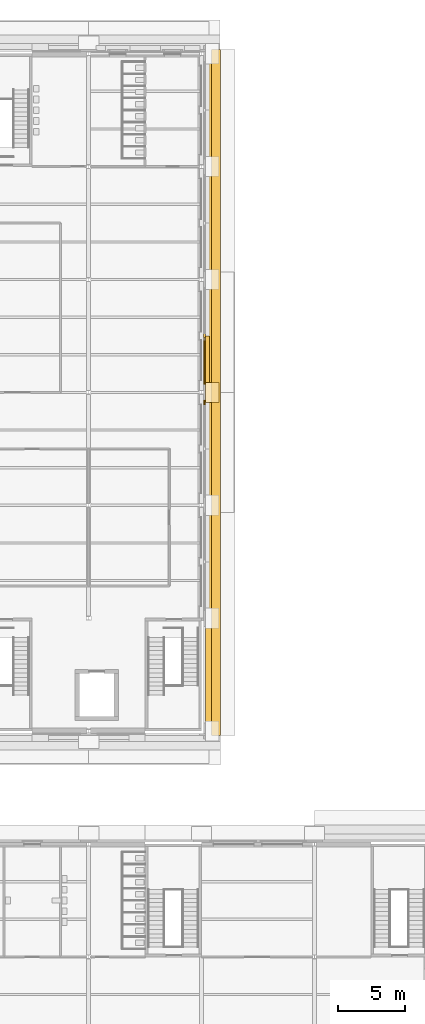
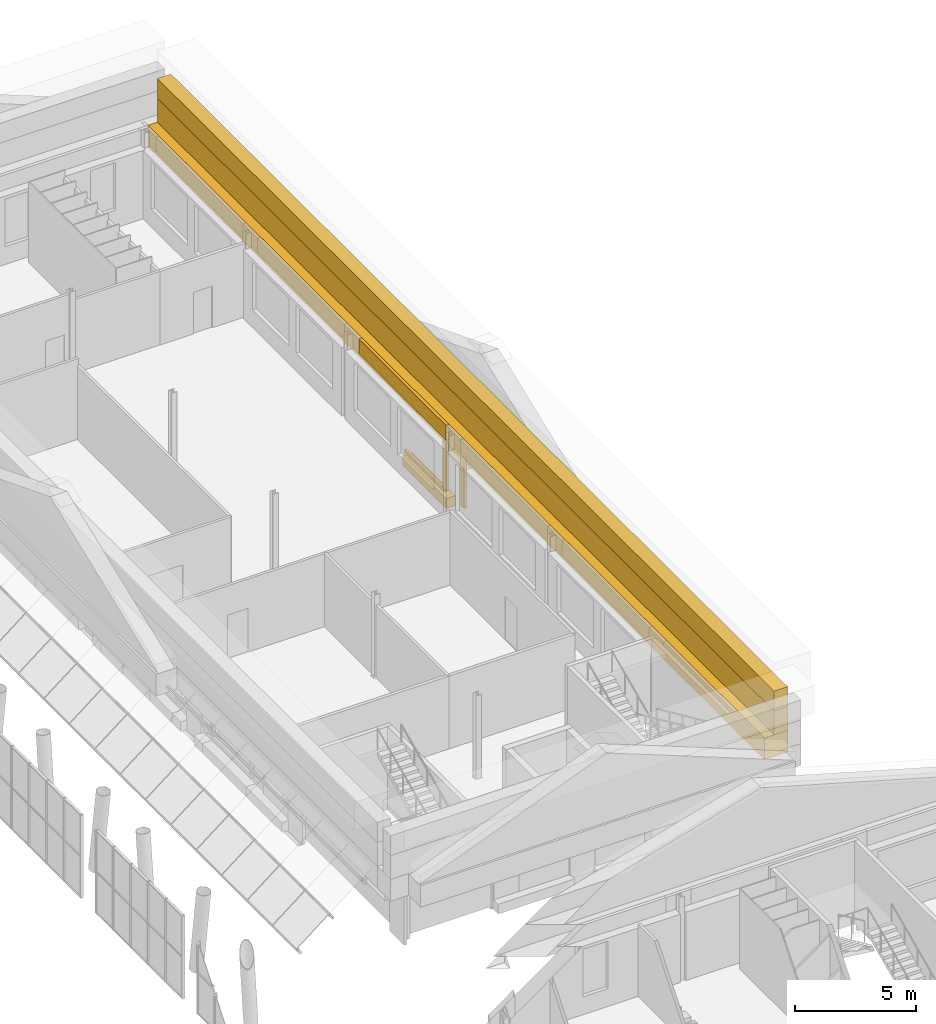
# One storey, part 70 of 76: 10 coverings.
"""IFC4 building model written with IfcOpenShell, lengths in metres."""

from ifc_helpers import new_model, si_unit, direction, frame, origin, origin_2d, place, context, subcontext, project, spatial, polyline, rectangle, outline, extrude, material, layer, layer_set, type_object, element, save


model = new_model("IFC4")

# Units and contexts
model_context = context("Model", 3, precision=1e-05, world=origin(), true_north=direction((0.0, 1.0)))
body_context = subcontext(model_context, "Body", "Model", "MODEL_VIEW")
ifc_project = project(units=[si_unit("LENGTHUNIT", "METRE"), si_unit("AREAUNIT", "SQUARE_METRE"), si_unit("VOLUMEUNIT", "CUBIC_METRE"), si_unit("PLANEANGLEUNIT", "RADIAN"), si_unit("MASSUNIT", "GRAM", prefix="KILO")], contexts=[model_context])

# Site, building, storey
site_placement = place(None, origin())
site = spatial("IfcSite", under=ifc_project, at=site_placement, CompositionType="ELEMENT")
building_placement = place(site_placement, origin())
building = spatial("IfcBuilding", under=site, at=building_placement, Name="Sava Quay Ferry Terminal", CompositionType="ELEMENT")
storey_placement = place(building_placement, frame((0.0, 0.0, 10.800048828125)))
storey = spatial("IfcBuildingStorey", under=building, at=storey_placement, Name="L02", CompositionType="ELEMENT", Elevation=10.800048828125)

# Coverings
ifc_material_1 = material(Name="Limestone Mutalj", Category="masonry")
ifc_layer_1 = layer(ifc_material_1, 0.64990234375)
ifc_layer_set_1 = layer_set([ifc_layer_1], Name="Limestone Mutalj")
covering_type_1 = type_object("IfcCoveringType", Name="Attic frieze 1000", PredefinedType="CLADDING", material=ifc_layer_set_1)
covering_1_placement = place(storey_placement, frame((110.27490234375, 84.0, 5.39990234375), z_axis=(0.0, 0.0, 1.0), x_axis=(1.0, 0.0, 0.0)))
element("IfcCovering", 1, at=covering_1_placement, inside=storey, type_object=covering_type_1, Name="Attic frieze", PredefinedType="CLADDING", context=body_context, shape_type="SweptSolid", body=[
    extrude(rectangle(XDim=0.64990234375, YDim=51.02001953125, at=origin_2d()), origin(), (0.0, 0.0, 1.0), 1.0),
])
ifc_material_2 = material(Name="Limestone Mutalj", Category="masonry")
ifc_layer_2 = layer(ifc_material_2, 0.64990234375)
ifc_layer_set_2 = layer_set([ifc_layer_2], Name="Limestone Mutalj")
covering_type_2 = type_object("IfcCoveringType", Name="Attic parapet 650", PredefinedType="MOLDING", material=ifc_layer_set_2)
covering_2_placement = place(storey_placement, frame((110.27490234375, 84.0, 4.2001953125), z_axis=(0.0, 0.0, 1.0), x_axis=(1.0, 0.0, 0.0)))
element("IfcCovering", 2, at=covering_2_placement, inside=storey, type_object=covering_type_2, Name="Attic parapet O E", PredefinedType="MOLDING", context=body_context, shape_type="SweptSolid", body=[
    extrude(rectangle(XDim=0.64990234375, YDim=51.02001953125, at=origin_2d()), origin(), (0.0, 0.0, 1.0), 1.199951171875),
])
ifc_material_3 = material(Name="Limestone Mutalj", Category="masonry")
ifc_layer_3 = layer(ifc_material_3, 1.10009765625)
ifc_layer_set_3 = layer_set([ifc_layer_3], Name="Limestone Mutalj")
covering_type_3 = type_object("IfcCoveringType", Name="Eaves cornice 1100", PredefinedType="MOLDING", material=ifc_layer_set_3)
covering_3_placement = place(storey_placement, frame((110.050048828125, 84.0, 3.099853515625), z_axis=(0.0, 0.0, 1.0), x_axis=(1.0, 0.0, 0.0)))
element("IfcCovering", 3, at=covering_3_placement, inside=storey, type_object=covering_type_3, Name="Eaves cornice O E", PredefinedType="MOLDING", context=body_context, shape_type="SweptSolid", body=[
    extrude(rectangle(XDim=1.10009765625, YDim=51.02001953125, at=origin_2d()), origin(), (0.0, 0.0, 1.0), 1.10009765625),
])
ifc_material_4 = material(Name="Limestone Mutalj", Category="masonry")
ifc_layer_4 = layer(ifc_material_4, 0.14990234375)
ifc_layer_set_4 = layer_set([ifc_layer_4], Name="Limestone Mutalj")
covering_type_4 = type_object("IfcCoveringType", Name="Limestone string course 150", PredefinedType="CLADDING", material=ifc_layer_set_4)
covering_4_placement = place(storey_placement, frame((0.0, 0.0, 3.449951171875)))
element("IfcCovering", 4, at=covering_4_placement, inside=storey, type_object=covering_type_4, Name="String course O-E", PredefinedType="CLADDING", context=body_context, shape_type="SweptSolid", body=[
    extrude(outline(polyline([(109.35009765625, 84.60009765625), (109.35009765625, 91.800048828125), (109.5, 91.800048828125), (109.5, 84.60009765625), (109.35009765625, 84.60009765625)])), origin(), (0.0, 0.0, 1.0), 0.75),
])
ifc_material_5 = material(Name="Limestone Mutalj", Category="masonry")
ifc_layer_5 = layer(ifc_material_5, 1.0)
ifc_layer_set_5 = layer_set([ifc_layer_5], Name="Limestone Mutalj")
covering_type_5 = type_object("IfcCoveringType", Name="Pilaster capital block 1500", PredefinedType="MOLDING", material=ifc_layer_set_5)
covering_5_placement = place(storey_placement, frame((110.0, 84.0, 2.699951171875), z_axis=(0.0, 0.0, 1.0), x_axis=(1.0, 0.0, 0.0)))
element("IfcCovering", 5, at=covering_5_placement, inside=storey, type_object=covering_type_5, Name="Giant-order capital", PredefinedType="MOLDING", context=body_context, shape_type="SweptSolid", body=[
    extrude(rectangle(XDim=1.0, YDim=1.5, at=origin_2d()), origin(), (0.0, 0.0, 1.0), 0.39990234375),
])
ifc_material_6 = material(Name="Limestone Mutalj", Category="masonry")
ifc_layer_6 = layer(ifc_material_6, 0.1201171875)
ifc_layer_set_6 = layer_set([ifc_layer_6], Name="Limestone Mutalj")
covering_type_6 = type_object("IfcCoveringType", Name="Plain window architrave 150", PredefinedType="MOLDING", material=ifc_layer_set_6)
for number, where, z_axis, x_axis, name in (
    (6, (109.409912109375, 83.25, 0.89990234375), (0.0, 0.0, 1.0), (1.0, 0.0, 0.0), "Plain window architrave"),
    (7, (109.409912109375, 84.75, 0.89990234375), (0.0, 0.0, 1.0), (1.0, 0.0, 0.0), "Plain window architrave"),
):
    element("IfcCovering", number, at=place(storey_placement, frame(where, z_axis=z_axis, x_axis=x_axis)), inside=storey, type_object=covering_type_6, Name=name, PredefinedType="MOLDING", context=body_context, shape_type="SweptSolid", body=[
        extrude(rectangle(XDim=0.1201171875, YDim=0.300048828125, at=origin_2d()), origin(), (0.0, 0.0, 1.0), 2.39990234375),
    ])
for number, where, z_axis, x_axis, name in (
    (8, (109.409912109375, 86.39990234375, 3.300048828125), (0.0, 0.0, 1.0), (1.0, 0.0, 0.0), "Plain window architrave"),
    (9, (109.409912109375, 86.39990234375, 0.75), (0.0, 0.0, 1.0), (1.0, 0.0, 0.0), "Plain window architrave"),
):
    element("IfcCovering", number, at=place(storey_placement, frame(where, z_axis=z_axis, x_axis=x_axis)), inside=storey, type_object=covering_type_6, Name=name, PredefinedType="MOLDING", context=body_context, shape_type="SweptSolid", body=[
        extrude(rectangle(XDim=0.1201171875, YDim=3.300048828125, at=origin_2d()), origin(), (0.0, 0.0, 1.0), 0.14990234375),
    ])
ifc_material_7 = material(Name="Limestone Mutalj", Category="masonry")
ifc_layer_7 = layer(ifc_material_7, 0.449951171875)
ifc_layer_set_7 = layer_set([ifc_layer_7], Name="Limestone Mutalj")
covering_type_7 = type_object("IfcCoveringType", Name="Projecting string course 500", PredefinedType="MOLDING", material=ifc_layer_set_7)
covering_6_placement = place(storey_placement, frame((109.574951171875, 86.39990234375, 0.0), z_axis=(0.0, 0.0, 1.0), x_axis=(1.0, 0.0, 0.0)))
element("IfcCovering", 10, at=covering_6_placement, inside=storey, type_object=covering_type_7, Name="Projecting string course", PredefinedType="MOLDING", context=body_context, shape_type="SweptSolid", body=[
    extrude(rectangle(XDim=0.449951171875, YDim=3.60009765625, at=origin_2d()), origin(), (0.0, 0.0, 1.0), 0.5),
])

save(model, "model.ifc")
